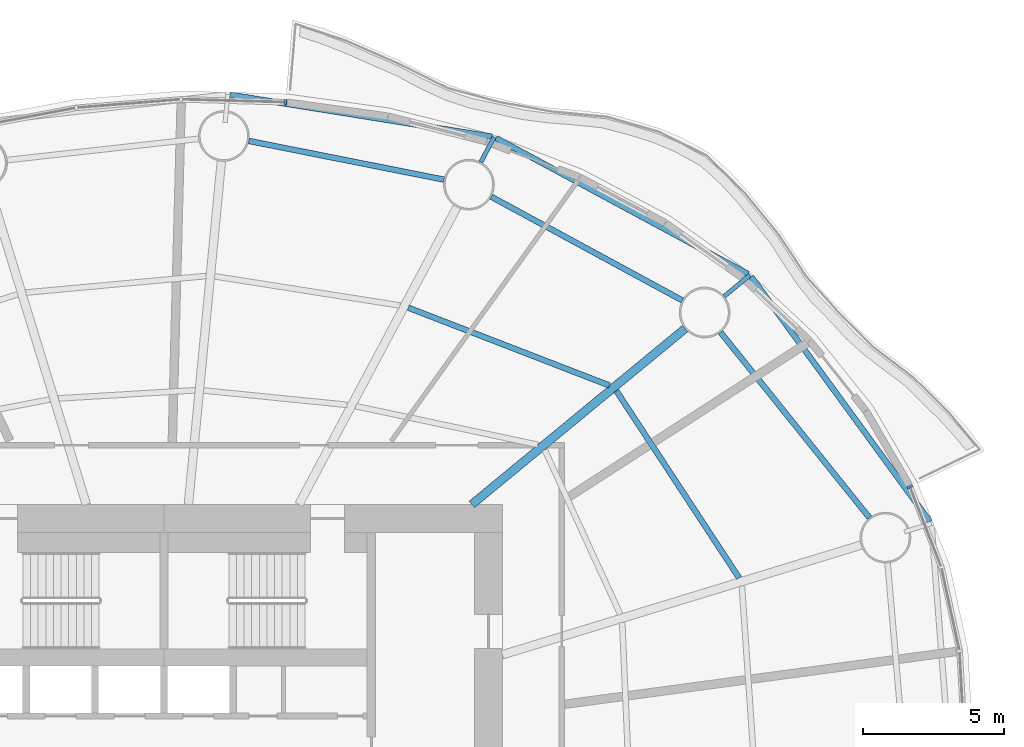
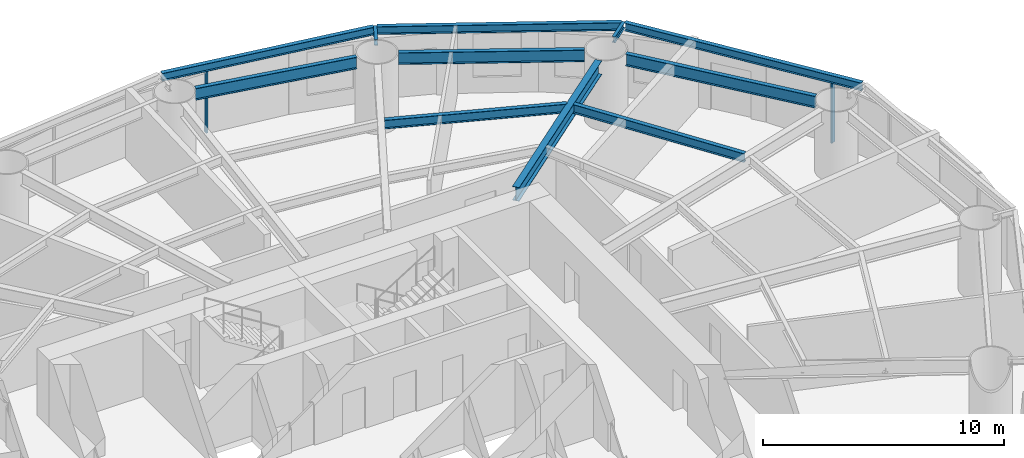
# One storey, part 6 of 16: 11 beams, 2 members, 2 elements without a shape of their own.
"""IFC4 building model written with IfcOpenShell, lengths in metres."""

from ifc_helpers import new_model, si_unit, direction, frame, origin, origin_2d, place, context, subcontext, project, spatial, rectangle, i_section, extrude, material, material_profile, profile_set, type_object, element, aggregate, save


model = new_model("IFC4")

# Units and contexts
model_context = context("Model", 3, precision=1e-05, world=origin(), true_north=direction((0.0, 1.0)))
body_context = subcontext(model_context, "Body", "Model", "MODEL_VIEW")
ifc_project = project(units=[si_unit("LENGTHUNIT", "METRE"), si_unit("AREAUNIT", "SQUARE_METRE"), si_unit("VOLUMEUNIT", "CUBIC_METRE"), si_unit("PLANEANGLEUNIT", "RADIAN"), si_unit("MASSUNIT", "GRAM", prefix="KILO")], contexts=[model_context])

# Site, building, storey
site_placement = place(None, origin())
site = spatial("IfcSite", under=ifc_project, at=site_placement, CompositionType="ELEMENT")
building_placement = place(site_placement, origin())
building = spatial("IfcBuilding", under=site, at=building_placement, Name="Vermilion Reach Broadcast Tower", CompositionType="ELEMENT")
storey_placement = place(building_placement, frame((0.0, 0.0, 65.60009765625)))
storey = spatial("IfcBuildingStorey", under=building, at=storey_placement, Name="L13", CompositionType="ELEMENT", Elevation=65.60009765625)

# Beams
ifc_material_1 = material(Name="Steel S355J2", Category="steel")
ifc_material_profile_1 = material_profile(ifc_material_1, i_section(OverallWidth=0.199951171875, OverallDepth=0.39990234375, WebThickness=0.008056640625, FlangeThickness=0.012939453125, at=origin_2d()), Name="S355J2 HN 400x200x8x13")
ifc_profile_set_1 = profile_set([ifc_material_profile_1], Name="Steel S355J2")
beam_type_1 = type_object("IfcBeamType", Name="EB1 HN 400x200x8x13", PredefinedType="BEAM", material=ifc_profile_set_1)
beam_1_placement = place(storey_placement, frame((21.157470703125, 8.386474609375, 3.349853515625), z_axis=(-0.5895399512, 0.807739219018, 0.0), x_axis=(-0.807739219018, -0.5895399512, 0.0)))
element("IfcBeam", 1, at=beam_1_placement, inside=storey, type_object=beam_type_1, Name="Edge beam EB1-01", PredefinedType="BEAM", context=body_context, shape_type="SweptSolid", body=[
    extrude(i_section(OverallWidth=0.199951171875, OverallDepth=0.39990234375, WebThickness=0.008056640625, FlangeThickness=0.012939453125, at=origin_2d()), origin(), (0.0, 0.0, 1.0), 10.75146484375),
])
beam_2_placement = place(storey_placement, frame((14.70361328125, 17.169921875, 3.349853515625), z_axis=(-0.880136414313, 0.474720857136, 0.0), x_axis=(-0.474720857136, -0.880136414313, 0.0)))
element("IfcBeam", 2, at=beam_2_placement, inside=storey, type_object=beam_type_1, Name="Edge beam EB1-02", PredefinedType="BEAM", context=body_context, shape_type="SweptSolid", body=[
    extrude(i_section(OverallWidth=0.199951171875, OverallDepth=0.39990234375, WebThickness=0.008056640625, FlangeThickness=0.012939453125, at=origin_2d()), origin(), (0.0, 0.0, 1.0), 10.14892578125),
])
beam_3_placement = place(storey_placement, frame((5.626953125, 22.035888671875, 3.349853515625), z_axis=(-0.98739866046, 0.158252599731, 0.0), x_axis=(-0.158252599731, -0.98739866046, 0.0)))
element("IfcBeam", 3, at=beam_3_placement, inside=storey, type_object=beam_type_1, Name="Edge beam EB1-03", PredefinedType="BEAM", context=body_context, shape_type="SweptSolid", body=[
    extrude(i_section(OverallWidth=0.199951171875, OverallDepth=0.39990234375, WebThickness=0.008056640625, FlangeThickness=0.012939453125, at=origin_2d()), origin(), (0.0, 0.0, 1.0), 9.4091796875),
])
ifc_material_2 = material(Name="Steel S355J2", Category="steel")
ifc_material_profile_2 = material_profile(ifc_material_2, i_section(OverallWidth=0.300048828125, OverallDepth=0.699951171875, WebThickness=0.012939453125, FlangeThickness=0.02392578125, at=origin_2d()), Name="S355J2 HN 700x300x13x24")
ifc_profile_set_2 = profile_set([ifc_material_profile_2], Name="Steel S355J2")
beam_type_2 = type_object("IfcBeamType", Name="G1 HN 700x300x13x24", PredefinedType="BEAM", material=ifc_profile_set_2)
beam_4_placement = place(storey_placement, frame((4.9140625, 9.0, 3.199951171875), z_axis=(0.771514256373, 0.636212034005, 0.0), x_axis=(-0.636212034005, 0.771514256373, 0.0)))
element("IfcBeam", 4, at=beam_4_placement, inside=storey, type_object=beam_type_2, Name="Girder G1-02", PredefinedType="BEAM", context=body_context, shape_type="SweptSolid", body=[
    extrude(i_section(OverallWidth=0.300048828125, OverallDepth=0.699951171875, WebThickness=0.012939453125, FlangeThickness=0.02392578125, at=origin_2d()), origin(), (0.0, 0.0, 1.0), 9.796142578125),
])
ifc_material_3 = material(Name="Steel S355J2", Category="steel")
ifc_material_profile_3 = material_profile(ifc_material_3, i_section(OverallWidth=0.14990234375, OverallDepth=0.300048828125, WebThickness=0.006591796875, FlangeThickness=0.009033203125, at=origin_2d()), Name="S355J2 HN 300x150x6.5x9")
ifc_profile_set_3 = profile_set([ifc_material_profile_3], Name="Steel S355J2")
beam_type_3 = type_object("IfcBeamType", Name="GS1 HN 300x150x6.5x9", PredefinedType="BEAM", material=ifc_profile_set_3)
beam_5_placement = place(storey_placement, frame((13.860595703125, 16.377685546875, 3.39990234375), z_axis=(0.771454190729, 0.636284866712, 0.0), x_axis=(-0.636284866712, 0.771454190729, 0.0)))
element("IfcBeam", 5, at=beam_5_placement, inside=storey, type_object=beam_type_3, Name="Cantilever stub GS1-02", PredefinedType="BEAM", context=body_context, shape_type="SweptSolid", body=[
    extrude(i_section(OverallWidth=0.14990234375, OverallDepth=0.300048828125, WebThickness=0.006591796875, FlangeThickness=0.009033203125, at=origin_2d()), origin(), (0.0, 0.0, 1.0), 1.184814453125),
])
beam_6_placement = place(storey_placement, frame((5.232177734375, 21.1337890625, 3.39990234375), z_axis=(0.469367816371, 0.883002747989, 0.0), x_axis=(-0.883002747989, 0.469367816371, 0.0)))
element("IfcBeam", 6, at=beam_6_placement, inside=storey, type_object=beam_type_3, Name="Cantilever stub GS1-03", PredefinedType="BEAM", context=body_context, shape_type="SweptSolid", body=[
    extrude(i_section(OverallWidth=0.14990234375, OverallDepth=0.300048828125, WebThickness=0.006591796875, FlangeThickness=0.009033203125, at=origin_2d()), origin(), (0.0, 0.0, 1.0), 1.007568359375),
])
ifc_material_4 = material(Name="Steel S355J2", Category="steel")
ifc_material_profile_4 = material_profile(ifc_material_4, i_section(OverallWidth=0.199951171875, OverallDepth=0.60009765625, WebThickness=0.010986328125, FlangeThickness=0.01708984375, at=origin_2d()), Name="S355J2 HN 600x200x11x17")
ifc_profile_set_4 = profile_set([ifc_material_profile_4], Name="Steel S355J2")
beam_type_4 = type_object("IfcBeamType", Name="RB1 HN 600x200x11x17", PredefinedType="BEAM", material=ifc_profile_set_4)
beam_7_placement = place(storey_placement, frame((19.011962890625, 8.52587890625, 3.25), z_axis=(-0.626162157191, 0.779692858055, 0.0), x_axis=(-0.779692858055, -0.626162157191, 0.0)))
element("IfcBeam", 7, at=beam_7_placement, inside=storey, type_object=beam_type_4, Name="Ring beam RB1-01", PredefinedType="BEAM", context=body_context, shape_type="SweptSolid", body=[
    extrude(i_section(OverallWidth=0.199951171875, OverallDepth=0.60009765625, WebThickness=0.010986328125, FlangeThickness=0.01708984375, at=origin_2d()), origin(), (0.0, 0.0, 1.0), 8.435791015625),
])
beam_8_placement = place(storey_placement, frame((12.375244140625, 16.234130859375, 3.25), z_axis=(-0.878962319551, 0.476891225344, 0.0), x_axis=(-0.476891225344, -0.878962319551, 0.0)))
element("IfcBeam", 8, at=beam_8_placement, inside=storey, type_object=beam_type_4, Name="Ring beam RB1-02", PredefinedType="BEAM", context=body_context, shape_type="SweptSolid", body=[
    extrude(i_section(OverallWidth=0.199951171875, OverallDepth=0.60009765625, WebThickness=0.010986328125, FlangeThickness=0.01708984375, at=origin_2d()), origin(), (0.0, 0.0, 1.0), 7.707275390625),
])
beam_9_placement = place(storey_placement, frame((3.927001953125, 20.51416015625, 3.25), z_axis=(-0.980857717995, 0.194725799651, 0.0), x_axis=(-0.194725799651, -0.980857717995, 0.0)))
element("IfcBeam", 9, at=beam_9_placement, inside=storey, type_object=beam_type_4, Name="Ring beam RB1-03", PredefinedType="BEAM", context=body_context, shape_type="SweptSolid", body=[
    extrude(i_section(OverallWidth=0.199951171875, OverallDepth=0.60009765625, WebThickness=0.010986328125, FlangeThickness=0.01708984375, at=origin_2d()), origin(), (0.0, 0.0, 1.0), 7.05859375),
])
ifc_material_5 = material(Name="Steel S355J2", Category="steel")
ifc_material_profile_5 = material_profile(ifc_material_5, i_section(OverallWidth=0.199951171875, OverallDepth=0.449951171875, WebThickness=0.009033203125, FlangeThickness=0.013916015625, at=origin_2d()), Name="S355J2 HN 450x200x9x14")
ifc_profile_set_5 = profile_set([ifc_material_profile_5], Name="Steel S355J2")
beam_type_5 = type_object("IfcBeamType", Name="SB1 HN 450x200x9x14", PredefinedType="BEAM", material=ifc_profile_set_5)
beam_10_placement = place(storey_placement, frame((14.390625, 6.394775390625, 3.324951171875), z_axis=(-0.548800909102, 0.835953086105, 0.0), x_axis=(-0.835953086105, -0.548800909102, 0.0)))
element("IfcBeam", 10, at=beam_10_placement, inside=storey, type_object=beam_type_5, Name="Secondary beam SB1-01-2", PredefinedType="BEAM", context=body_context, shape_type="SweptSolid", body=[
    extrude(i_section(OverallWidth=0.199951171875, OverallDepth=0.449951171875, WebThickness=0.009033203125, FlangeThickness=0.013916015625, at=origin_2d()), origin(), (0.0, 0.0, 1.0), 7.935791015625),
])
beam_11_placement = place(storey_placement, frame((9.7919921875, 13.217041015625, 3.324951171875), z_axis=(-0.932680743753, 0.360702966765, 0.0), x_axis=(-0.360702966765, -0.932680743753, 0.0)))
element("IfcBeam", 11, at=beam_11_placement, inside=storey, type_object=beam_type_5, Name="Secondary beam SB1-02-2", PredefinedType="BEAM", context=body_context, shape_type="SweptSolid", body=[
    extrude(i_section(OverallWidth=0.199951171875, OverallDepth=0.449951171875, WebThickness=0.009033203125, FlangeThickness=0.013916015625, at=origin_2d()), origin(), (0.0, 0.0, 1.0), 7.646240234375),
])

# Curtain wall, member
ifc_material_6 = material(Name="Low-e laminated clear glass in aluminium frame", Category="aluminium")
curtain_wall_type = type_object("IfcCurtainWallType", Name="Slot curtain wall", PredefinedType="NOTDEFINED", material=ifc_material_6)
placement = place(storey_placement, origin())
curtain_wall_1 = element("IfcCurtainWall", 12, at=placement, inside=storey, type_object=curtain_wall_type, Name="Slot curtain wall L13 01", PredefinedType="NOTDEFINED")
ifc_material_7 = material(Name="Anodised aluminium", Category="aluminium")
ifc_material_profile_6 = material_profile(ifc_material_7, rectangle(XDim=0.199951171875, YDim=0.080078125, at=origin_2d()), Name="Slot mullion 80 x 200")
ifc_profile_set_6 = profile_set([ifc_material_profile_6], Name="Anodised aluminium")
member_type = type_object("IfcMemberType", Name="Slot mullion 80 x 200", PredefinedType="MULLION", material=ifc_profile_set_6)
member_1_placement = place(storey_placement, frame((20.4482421875, 9.6279296875, 0.0), z_axis=(0.0, 0.0, 1.0), x_axis=(-0.900672227959, -0.434499180418, 0.0)))
member_1 = element("IfcMember", 13, at=member_1_placement, type_object=member_type, Name="Slot mullion L13 02", PredefinedType="MULLION", context=body_context, shape_type="SweptSolid", body=[
    extrude(rectangle(XDim=0.199951171875, YDim=0.080078125, at=origin_2d()), origin(), (0.0, 0.0, 1.0), 3.14990234375),
])
aggregate(curtain_wall_1, [member_1])

curtain_wall_2 = element("IfcCurtainWall", 14, at=placement, inside=storey, type_object=curtain_wall_type, Name="Slot curtain wall L13 10", PredefinedType="NOTDEFINED")
member_2_placement = place(storey_placement, frame((-1.689453125, 23.25830078125, 0.0), z_axis=(0.0, 0.0, 1.0), x_axis=(-0.082303763812, -0.996607289991, 0.0)))
member_2 = element("IfcMember", 15, at=member_2_placement, type_object=member_type, Name="Slot mullion L13 10", PredefinedType="MULLION", context=body_context, shape_type="SweptSolid", body=[
    extrude(rectangle(XDim=0.199951171875, YDim=0.080078125, at=origin_2d()), origin(), (0.0, 0.0, 1.0), 3.14990234375),
])
aggregate(curtain_wall_2, [member_2])

save(model, "model.ifc")
